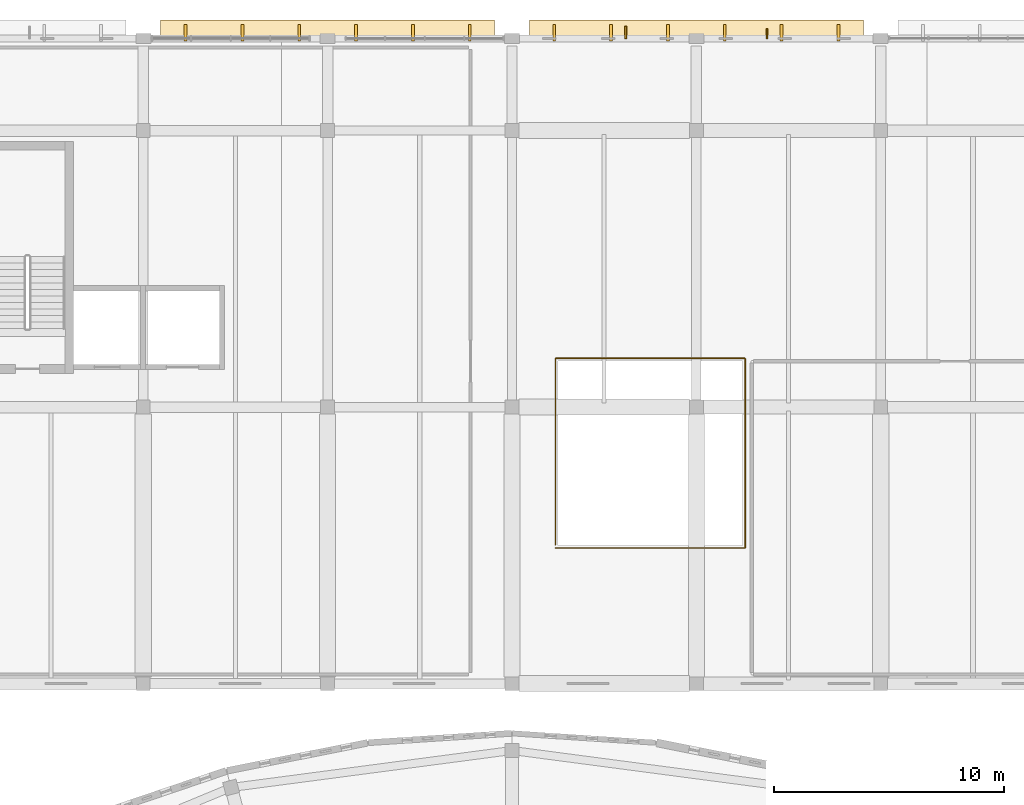
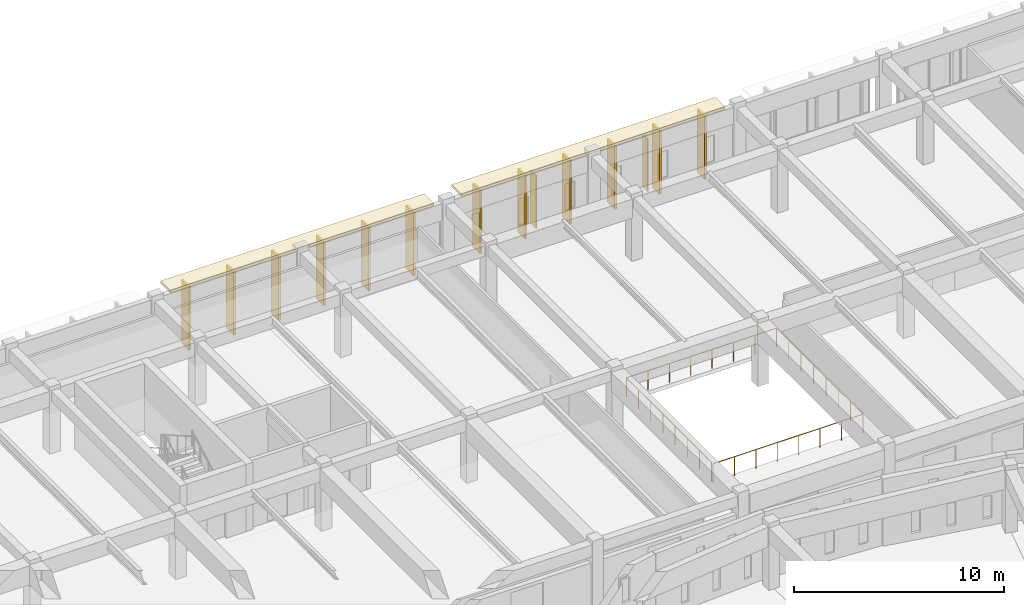
# One storey, part 90 of 98: 14 coverings, 2 shading devices, 1 railing.
"""IFC4 building model written with IfcOpenShell, lengths in metres."""

from ifc_helpers import new_model, si_unit, direction, frame, origin, origin_2d, place, context, subcontext, project, spatial, rectangle, circle, extrude, material, layer, layer_set, type_object, element, save


model = new_model("IFC4")

# Units and contexts
model_context = context("Model", 3, precision=1e-05, world=origin(), true_north=direction((0.0, 1.0)))
body_context = subcontext(model_context, "Body", "Model", "MODEL_VIEW")
ifc_project = project(units=[si_unit("LENGTHUNIT", "METRE"), si_unit("AREAUNIT", "SQUARE_METRE"), si_unit("VOLUMEUNIT", "CUBIC_METRE"), si_unit("PLANEANGLEUNIT", "RADIAN"), si_unit("MASSUNIT", "GRAM", prefix="KILO")], contexts=[model_context])

# Site, building, storey
site_placement = place(None, origin())
site = spatial("IfcSite", under=ifc_project, at=site_placement, CompositionType="ELEMENT")
building_placement = place(site_placement, origin())
building = spatial("IfcBuilding", under=site, at=building_placement, Name="Larkveld Mobility Hub", CompositionType="ELEMENT")
storey_placement = place(building_placement, frame((0.0, 0.0, 4.5)))
storey = spatial("IfcBuildingStorey", under=building, at=storey_placement, Name="L01", CompositionType="ELEMENT", Elevation=4.5)

# Coverings
ifc_material_1 = material(Name="Precast concrete C50/60", Category="concrete")
ifc_layer_1 = layer(ifc_material_1, 0.14990234375, Name="Precast concrete C50/60", Category="concrete")
ifc_layer_set_1 = layer_set([ifc_layer_1], Name="Precast concrete C50/60")
covering_type_1 = type_object("IfcCoveringType", Name="COV-QSL-H01", PredefinedType="CLADDING", material=ifc_layer_set_1)
for number, where, z_axis, x_axis, name in (
    (1, (40.0, 126.340087890625, 3.670166015625), (0.0, 0.0, 1.0), (-1.0, 0.0, 0.0), "Precast Quebra-Sol Horizontal Sunbreaker QSH-071"),
    (2, (56.0, 126.340087890625, 3.670166015625), (0.0, 0.0, 1.0), (-1.0, 0.0, 0.0), "Precast Quebra-Sol Horizontal Sunbreaker QSH-078"),
):
    element("IfcCovering", number, at=place(storey_placement, frame(where, z_axis=z_axis, x_axis=x_axis)), inside=storey, type_object=covering_type_1, Name=name, PredefinedType="CLADDING", context=body_context, shape_type="SweptSolid", body=[
        extrude(rectangle(XDim=14.5, YDim=0.919921875, at=origin_2d()), origin(), (0.0, 0.0, 1.0), 0.14990234375),
    ])
ifc_layer_2 = layer(ifc_material_1, 0.1201171875, Name="Precast concrete C50/60", Category="concrete")
ifc_layer_set_2 = layer_set([ifc_layer_2], Name="Precast concrete C50/60")
covering_type_2 = type_object("IfcCoveringType", Name="COV-QSL-V01", PredefinedType="CLADDING", material=ifc_layer_set_2)
for number, where, z_axis, x_axis, name in (
    (3, (46.1669921875, 126.239990234375, -0.0205078125), (0.0, 0.0, 1.0), (-1.0, 0.0, 0.0), "Precast Quebra-Sol Vertical Fin QSV-072"),
    (4, (43.699951171875, 126.239990234375, -0.0205078125), (0.0, 0.0, 1.0), (-1.0, 0.0, 0.0), "Precast Quebra-Sol Vertical Fin QSV-073"),
    (5, (41.23291015625, 126.239990234375, -0.0205078125), (0.0, 0.0, 1.0), (-1.0, 0.0, 0.0), "Precast Quebra-Sol Vertical Fin QSV-074"),
    (6, (38.76708984375, 126.239990234375, -0.0205078125), (0.0, 0.0, 1.0), (-1.0, 0.0, 0.0), "Precast Quebra-Sol Vertical Fin QSV-075"),
    (7, (36.300048828125, 126.239990234375, -0.0205078125), (0.0, 0.0, 1.0), (-1.0, 0.0, 0.0), "Precast Quebra-Sol Vertical Fin QSV-076"),
    (8, (33.8330078125, 126.239990234375, -0.0205078125), (0.0, 0.0, 1.0), (-1.0, 0.0, 0.0), "Precast Quebra-Sol Vertical Fin QSV-077"),
    (9, (62.1669921875, 126.239990234375, -0.0205078125), (0.0, 0.0, 1.0), (-1.0, 0.0, 0.0), "Precast Quebra-Sol Vertical Fin QSV-079"),
    (10, (59.699951171875, 126.239990234375, -0.0205078125), (0.0, 0.0, 1.0), (-1.0, 0.0, 0.0), "Precast Quebra-Sol Vertical Fin QSV-080"),
    (11, (57.23291015625, 126.239990234375, -0.0205078125), (0.0, 0.0, 1.0), (-1.0, 0.0, 0.0), "Precast Quebra-Sol Vertical Fin QSV-081"),
    (12, (54.76708984375, 126.239990234375, -0.0205078125), (0.0, 0.0, 1.0), (-1.0, 0.0, 0.0), "Precast Quebra-Sol Vertical Fin QSV-082"),
    (13, (52.300048828125, 126.239990234375, -0.0205078125), (0.0, 0.0, 1.0), (-1.0, 0.0, 0.0), "Precast Quebra-Sol Vertical Fin QSV-083"),
    (14, (49.8330078125, 126.239990234375, -0.0205078125), (0.0, 0.0, 1.0), (-1.0, 0.0, 0.0), "Precast Quebra-Sol Vertical Fin QSV-084"),
):
    element("IfcCovering", number, at=place(storey_placement, frame(where, z_axis=z_axis, x_axis=x_axis)), inside=storey, type_object=covering_type_2, Name=name, PredefinedType="CLADDING", context=body_context, shape_type="SweptSolid", body=[
        extrude(rectangle(XDim=0.1201171875, YDim=0.719970703125, at=origin_2d()), origin(), (0.0, 0.0, 1.0), 3.675048828125),
    ])

# Railing
ifc_material_2 = material(Name="Galvanized Steel S355JR void balustrade", Category="steel")
railing_type = type_object("IfcRailingType", Name="RL-GRD-1120", PredefinedType="GUARDRAIL", material=ifc_material_2)
railing_placement = place(storey_placement, frame((49.8798828125, 103.8798828125, 0.0)))
element("IfcRailing", 15, at=railing_placement, inside=storey, type_object=railing_type, Name="Bicycle Atrium Void Guard L01 L01-057", PredefinedType="GUARDRAIL", context=body_context, shape_type="SweptSolid", body=[
    extrude(circle(Radius=0.02392578125, at=origin_2d()), frame((0.0, 0.0, 1.09619140625), z_axis=(1.0, 0.0, 0.0), x_axis=(0.0, 1.0, 0.0)), (0.0, 0.0, 1.0), 8.240234375),
    extrude(circle(Radius=0.02392578125, at=origin_2d()), frame((8.240234375, 0.0, 1.09619140625), z_axis=(0.0, 1.0, 0.0), x_axis=(-1.0, 0.0, 0.0)), (0.0, 0.0, 1.0), 8.240234375),
    extrude(circle(Radius=0.02392578125, at=origin_2d()), frame((8.240234375, 8.240234375, 1.09619140625), z_axis=(-1.0, 0.0, 0.0), x_axis=(0.0, -1.0, 0.0)), (0.0, 0.0, 1.0), 8.240234375),
    extrude(circle(Radius=0.02392578125, at=origin_2d()), frame((0.0, 8.240234375, 1.09619140625), z_axis=(0.0, -1.0, 0.0), x_axis=(1.0, 0.0, 0.0)), (0.0, 0.0, 1.0), 8.10009765625),
    extrude(circle(Radius=0.02099609375, at=origin_2d()), origin(), (0.0, 0.0, 1.0), 1.072021484375),
    extrude(circle(Radius=0.02099609375, at=origin_2d()), frame((1.17724609375, 0.0, 0.0)), (0.0, 0.0, 1.0), 1.072021484375),
    extrude(circle(Radius=0.02099609375, at=origin_2d()), frame((2.354248046875, 0.0, 0.0)), (0.0, 0.0, 1.0), 1.072021484375),
    extrude(circle(Radius=0.02099609375, at=origin_2d()), frame((3.531494140625, 0.0, 0.0)), (0.0, 0.0, 1.0), 1.072021484375),
    extrude(circle(Radius=0.02099609375, at=origin_2d()), frame((4.708740234375, 0.0, 0.0)), (0.0, 0.0, 1.0), 1.072021484375),
    extrude(circle(Radius=0.02099609375, at=origin_2d()), frame((5.885986328125, 0.0, 0.0)), (0.0, 0.0, 1.0), 1.072021484375),
    extrude(circle(Radius=0.02099609375, at=origin_2d()), frame((7.06298828125, 0.0, 0.0)), (0.0, 0.0, 1.0), 1.072021484375),
    extrude(circle(Radius=0.02099609375, at=origin_2d()), frame((8.240234375, 0.0, 0.0)), (0.0, 0.0, 1.0), 1.072021484375),
    extrude(circle(Radius=0.02099609375, at=origin_2d()), frame((8.240234375, 1.17724609375, 0.0)), (0.0, 0.0, 1.0), 1.072021484375),
    extrude(circle(Radius=0.02099609375, at=origin_2d()), frame((8.240234375, 2.354248046875, 0.0)), (0.0, 0.0, 1.0), 1.072021484375),
    extrude(circle(Radius=0.02099609375, at=origin_2d()), frame((8.240234375, 3.531494140625, 0.0)), (0.0, 0.0, 1.0), 1.072021484375),
    extrude(circle(Radius=0.02099609375, at=origin_2d()), frame((8.240234375, 4.708740234375, 0.0)), (0.0, 0.0, 1.0), 1.072021484375),
    extrude(circle(Radius=0.02099609375, at=origin_2d()), frame((8.240234375, 5.885986328125, 0.0)), (0.0, 0.0, 1.0), 1.072021484375),
    extrude(circle(Radius=0.02099609375, at=origin_2d()), frame((8.240234375, 7.06298828125, 0.0)), (0.0, 0.0, 1.0), 1.072021484375),
    extrude(circle(Radius=0.02099609375, at=origin_2d()), frame((8.240234375, 8.240234375, 0.0)), (0.0, 0.0, 1.0), 1.072021484375),
    extrude(circle(Radius=0.02099609375, at=origin_2d()), frame((7.06298828125, 8.240234375, 0.0)), (0.0, 0.0, 1.0), 1.072021484375),
    extrude(circle(Radius=0.02099609375, at=origin_2d()), frame((5.885986328125, 8.240234375, 0.0)), (0.0, 0.0, 1.0), 1.072021484375),
    extrude(circle(Radius=0.02099609375, at=origin_2d()), frame((4.708740234375, 8.240234375, 0.0)), (0.0, 0.0, 1.0), 1.072021484375),
    extrude(circle(Radius=0.02099609375, at=origin_2d()), frame((3.531494140625, 8.240234375, 0.0)), (0.0, 0.0, 1.0), 1.072021484375),
    extrude(circle(Radius=0.02099609375, at=origin_2d()), frame((2.354248046875, 8.240234375, 0.0)), (0.0, 0.0, 1.0), 1.072021484375),
    extrude(circle(Radius=0.02099609375, at=origin_2d()), frame((1.17724609375, 8.240234375, 0.0)), (0.0, 0.0, 1.0), 1.072021484375),
    extrude(circle(Radius=0.02099609375, at=origin_2d()), frame((0.0, 8.240234375, 0.0)), (0.0, 0.0, 1.0), 1.072021484375),
    extrude(circle(Radius=0.02099609375, at=origin_2d()), frame((0.0, 7.0830078125, 0.0)), (0.0, 0.0, 1.0), 1.072021484375),
    extrude(circle(Radius=0.02099609375, at=origin_2d()), frame((0.0, 5.926025390625, 0.0)), (0.0, 0.0, 1.0), 1.072021484375),
    extrude(circle(Radius=0.02099609375, at=origin_2d()), frame((0.0, 4.768798828125, 0.0)), (0.0, 0.0, 1.0), 1.072021484375),
    extrude(circle(Radius=0.02099609375, at=origin_2d()), frame((0.0, 3.611572265625, 0.0)), (0.0, 0.0, 1.0), 1.072021484375),
    extrude(circle(Radius=0.02099609375, at=origin_2d()), frame((0.0, 2.454345703125, 0.0)), (0.0, 0.0, 1.0), 1.072021484375),
    extrude(circle(Radius=0.02099609375, at=origin_2d()), frame((0.0, 1.29736328125, 0.0)), (0.0, 0.0, 1.0), 1.072021484375),
    extrude(circle(Radius=0.02099609375, at=origin_2d()), frame((0.0, 0.14013671875, 0.0)), (0.0, 0.0, 1.0), 1.072021484375),
])

# Shading devices
ifc_layer_3 = layer(ifc_material_1, 0.06494140625, Name="Precast concrete C50/60", Category="concrete")
ifc_layer_set_3 = layer_set([ifc_layer_3], Name="Precast concrete C50/60")
shading_device_type_1 = type_object("IfcShadingDeviceType", Name="SHD-JAL-01", PredefinedType="JALOUSIE", material=ifc_layer_set_3)
shading_device_1_placement = place(storey_placement, frame((59.06591796875, 126.205078125, 0.300048828125), z_axis=(0.0, 0.0, 1.0), x_axis=(1.0, 0.0, 0.0)))
element("IfcShadingDevice", 16, at=shading_device_1_placement, inside=storey, type_object=shading_device_type_1, Name="North Facade Sunshade Fin NF-051", PredefinedType="JALOUSIE", context=body_context, shape_type="SweptSolid", body=[
    extrude(rectangle(XDim=0.06494140625, YDim=0.449951171875, at=origin_2d()), origin(), (0.0, 0.0, 1.0), 3.06005859375),
])
ifc_layer_4 = layer(ifc_material_1, 0.074951171875, Name="Precast concrete C50/60", Category="concrete")
ifc_layer_set_4 = layer_set([ifc_layer_4], Name="Precast concrete C50/60")
shading_device_type_2 = type_object("IfcShadingDeviceType", Name="SHD-JAL-02", PredefinedType="JALOUSIE", material=ifc_layer_set_4)
shading_device_2_placement = place(storey_placement, frame((52.93408203125, 126.2548828125, 0.300048828125), z_axis=(0.0, 0.0, 1.0), x_axis=(1.0, 0.0, 0.0)))
element("IfcShadingDevice", 17, at=shading_device_2_placement, inside=storey, type_object=shading_device_type_2, Name="North Facade Sunshade Fin NF-052", PredefinedType="JALOUSIE", context=body_context, shape_type="SweptSolid", body=[
    extrude(rectangle(XDim=0.074951171875, YDim=0.550048828125, at=origin_2d()), origin(), (0.0, 0.0, 1.0), 3.06005859375),
])

save(model, "model.ifc")
